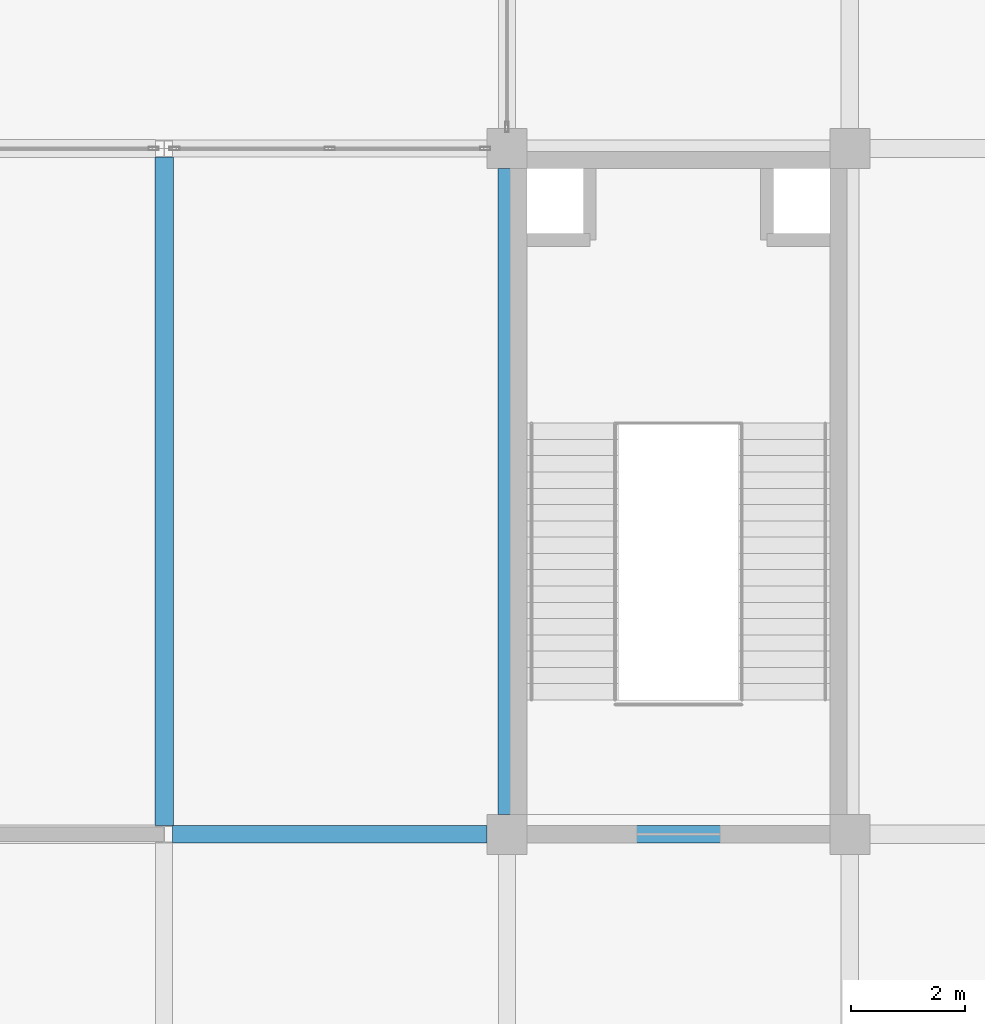
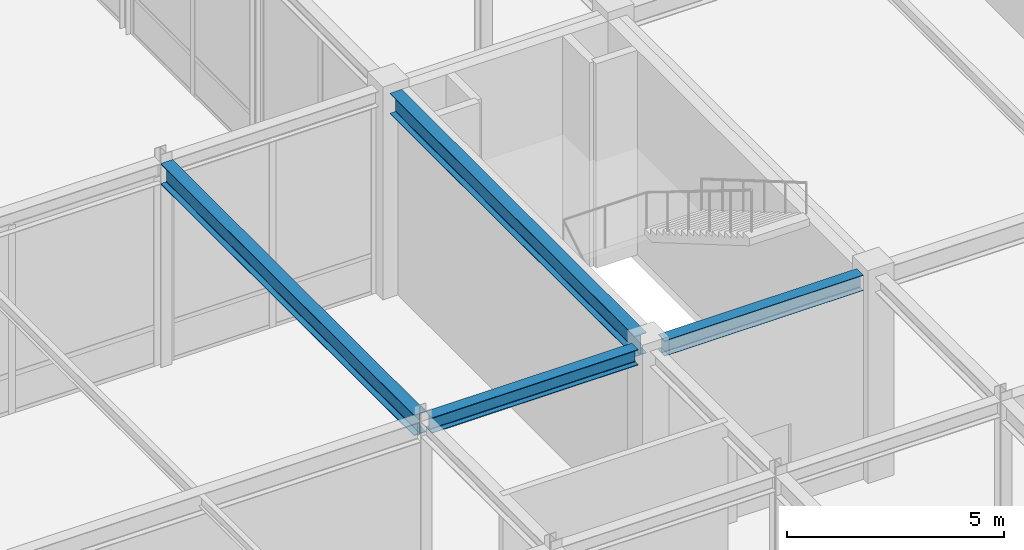
# One storey, part 82 of 108: 4 beams.
"""IFC4 building model written with IfcOpenShell, lengths in metres."""

from ifc_helpers import new_model, si_unit, direction, frame, origin, origin_2d, place, context, subcontext, project, spatial, i_section, extrude, material, material_profile, profile_set, type_object, element, save


model = new_model("IFC4")

# Units and contexts
model_context = context("Model", 3, precision=1e-05, world=origin(), true_north=direction((0.0, 1.0)))
body_context = subcontext(model_context, "Body", "Model", "MODEL_VIEW")
ifc_project = project(units=[si_unit("LENGTHUNIT", "METRE"), si_unit("AREAUNIT", "SQUARE_METRE"), si_unit("VOLUMEUNIT", "CUBIC_METRE"), si_unit("PLANEANGLEUNIT", "RADIAN"), si_unit("MASSUNIT", "GRAM", prefix="KILO")], contexts=[model_context])

# Site, building, storey
site_placement = place(None, origin())
site = spatial("IfcSite", under=ifc_project, at=site_placement, CompositionType="ELEMENT")
building_placement = place(site_placement, origin())
building = spatial("IfcBuilding", under=site, at=building_placement, Name="Zlatovratsky Civic Hall", CompositionType="ELEMENT")
storey_placement = place(building_placement, frame((0.0, 0.0, 6.0)))
storey = spatial("IfcBuildingStorey", under=building, at=storey_placement, Name="L02", CompositionType="ELEMENT", Elevation=6.0)

# Beams
ifc_material = material(Name="Steel S355", Category="steel")
ifc_material_profile_1 = material_profile(ifc_material, i_section(OverallWidth=0.320068359375, OverallDepth=0.58203125, WebThickness=0.011962890625, FlangeThickness=0.01708984375, FilletRadius=0.02392578125, at=origin_2d()), Name="60Sh1")
ifc_profile_set_1 = profile_set([ifc_material_profile_1], Name="Steel S355")
beam_type_1 = type_object("IfcBeamType", Name="Beam_PodiumGirder_60Sh1", PredefinedType="BEAM", material=ifc_profile_set_1)
beam_1_placement = place(storey_placement, frame((144.0, 18.14990234375, 5.468994140625), z_axis=(0.0, 1.0, 0.0), x_axis=(-1.0, 0.0, 0.0)))
element("IfcBeam", 1, at=beam_1_placement, inside=storey, type_object=beam_type_1, Name="BM-2329", PredefinedType="BEAM", context=body_context, shape_type="SweptSolid", body=[
    extrude(i_section(OverallWidth=0.320068359375, OverallDepth=0.58203125, WebThickness=0.011962890625, FlangeThickness=0.01708984375, FilletRadius=0.02392578125, at=origin_2d()), origin(), (0.0, 0.0, 1.0), 11.7001953125),
])
beam_2_placement = place(storey_placement, frame((150.0, 18.35009765625, 5.468994140625), z_axis=(0.0, 1.0, 0.0), x_axis=(-1.0, 0.0, 0.0)))
element("IfcBeam", 2, at=beam_2_placement, inside=storey, type_object=beam_type_1, Name="BM-2340", PredefinedType="BEAM", context=body_context, shape_type="SweptSolid", body=[
    extrude(i_section(OverallWidth=0.320068359375, OverallDepth=0.58203125, WebThickness=0.011962890625, FlangeThickness=0.01708984375, FilletRadius=0.02392578125, at=origin_2d()), origin(), (0.0, 0.0, 1.0), 11.2998046875),
])
ifc_material_profile_2 = material_profile(ifc_material, i_section(OverallWidth=0.300048828125, OverallDepth=0.43994140625, WebThickness=0.010986328125, FlangeThickness=0.01806640625, FilletRadius=0.02197265625, at=origin_2d()), Name="45Sh1")
ifc_profile_set_2 = profile_set([ifc_material_profile_2], Name="Steel S355")
beam_type_2 = type_object("IfcBeamType", Name="Beam_TowerLow_45Sh1", PredefinedType="BEAM", material=ifc_profile_set_2)
beam_3_placement = place(storey_placement, frame((144.14990234375, 18.0, 5.5400390625), z_axis=(1.0, 0.0, 0.0), x_axis=(0.0, 1.0, 0.0)))
element("IfcBeam", 3, at=beam_3_placement, inside=storey, type_object=beam_type_2, Name="BM-1780", PredefinedType="BEAM", context=body_context, shape_type="SweptSolid", body=[
    extrude(i_section(OverallWidth=0.300048828125, OverallDepth=0.43994140625, WebThickness=0.010986328125, FlangeThickness=0.01806640625, FilletRadius=0.02197265625, at=origin_2d()), origin(), (0.0, 0.0, 1.0), 5.5),
])
beam_4_placement = place(storey_placement, frame((150.35009765625, 18.0, 5.5400390625), z_axis=(1.0, 0.0, 0.0), x_axis=(0.0, 1.0, 0.0)))
element("IfcBeam", 4, at=beam_4_placement, inside=storey, type_object=beam_type_2, Name="BM-1781", PredefinedType="BEAM", context=body_context, shape_type="SweptSolid", body=[
    extrude(i_section(OverallWidth=0.300048828125, OverallDepth=0.43994140625, WebThickness=0.010986328125, FlangeThickness=0.01806640625, FilletRadius=0.02197265625, at=origin_2d()), origin(), (0.0, 0.0, 1.0), 5.2998046875),
])

save(model, "model.ifc")
